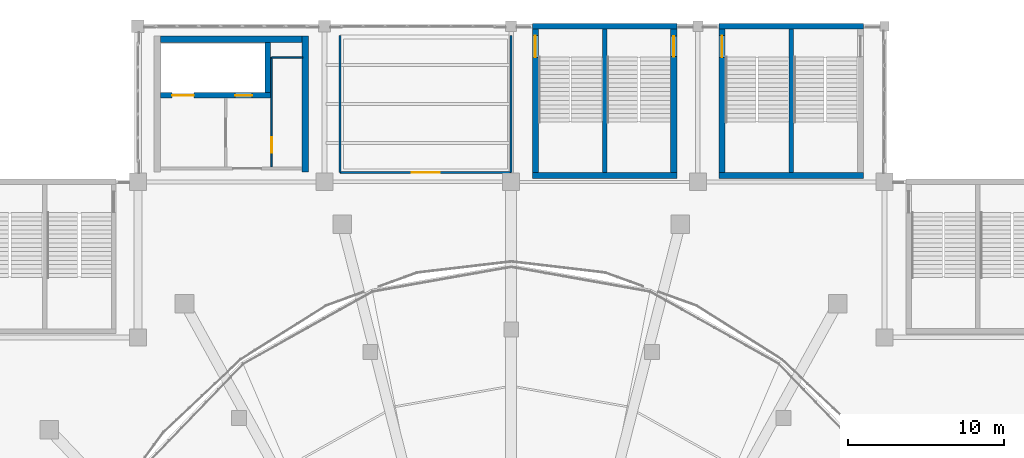
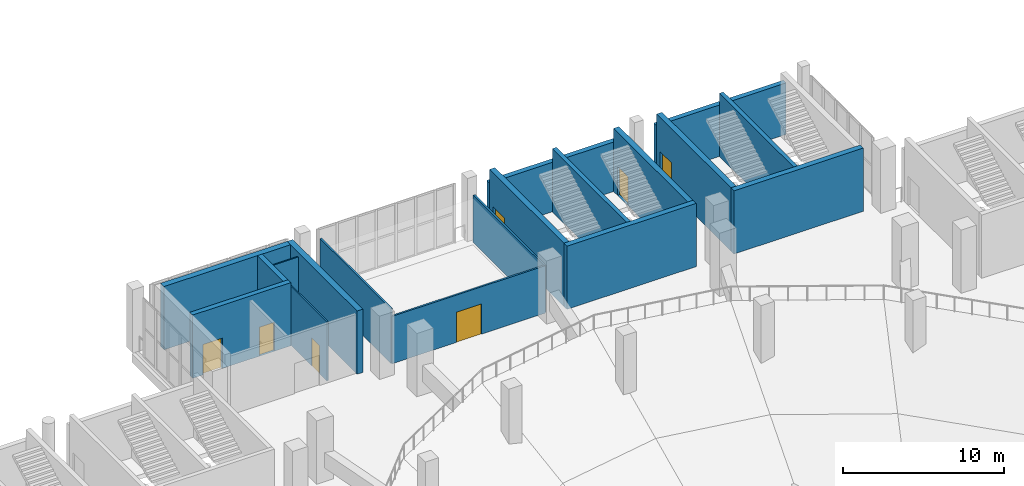
# One storey, part 111 of 136: 18 walls, 7 doors, 7 openings.
"""IFC4 building model written with IfcOpenShell, lengths in metres."""

from ifc_helpers import new_model, si_unit, direction, frame, frame_2d, origin, place, context, subcontext, project, spatial, rectangle, extrude, material, layer, layer_set, type_object, element, fill, save


model = new_model("IFC4")

# Units and contexts
model_context = context("Model", 3, precision=1e-05, world=origin(), true_north=direction((0.0, 1.0)))
body_context = subcontext(model_context, "Body", "Model", "MODEL_VIEW")
ifc_project = project(units=[si_unit("LENGTHUNIT", "METRE"), si_unit("AREAUNIT", "SQUARE_METRE"), si_unit("VOLUMEUNIT", "CUBIC_METRE"), si_unit("PLANEANGLEUNIT", "RADIAN"), si_unit("MASSUNIT", "GRAM", prefix="KILO")], contexts=[model_context])

# Site, building, storey
site_placement = place(None, origin())
site = spatial("IfcSite", under=ifc_project, at=site_placement, CompositionType="ELEMENT")
building_placement = place(site_placement, origin())
building = spatial("IfcBuilding", under=site, at=building_placement, Name="Brinegate Civic Arena", CompositionType="ELEMENT")
storey_placement = place(building_placement, frame((0.0, 0.0, 5.39990234375)))
storey = spatial("IfcBuildingStorey", under=building, at=storey_placement, Name="L01", CompositionType="ELEMENT", Elevation=5.39990234375)

# Wall, openings, doors
ifc_material_1 = material(Name="Concrete C50/60", Category="concrete")
ifc_layer_1 = layer(ifc_material_1, 0.35009765625, Name="Concrete C50/60")
ifc_layer_set_1 = layer_set([ifc_layer_1], Name="Concrete C50/60")
wall_type_1 = type_object("IfcWallType", Name="WALL-CORE-SHEAR-350", PredefinedType="SHEAR", material=ifc_layer_set_1)
wall_1_placement = place(storey_placement, frame((85.4599609375, 119.550048828125, 0.0), z_axis=(0.0, 0.0, 1.0), x_axis=(1.0, 0.0, 0.0)))
wall_1 = element("IfcWall", 1, at=wall_1_placement, inside=storey, type_object=wall_type_1, Name="Core K3 Lift Shaft Front Wall L01 (WBG-57)", PredefinedType="SHEAR", context=body_context, shape_type="SweptSolid", body=[
    extrude(rectangle(XDim=7.06494140625, YDim=0.35009765625, at=frame_2d((3.532470703125, 0.0))), origin(), (0.0, 0.0, 1.0), 4.800048828125),
])
opening_1_placement = place(wall_1_placement, frame((0.739990234375, 0.0, 0.0)))
opening_1 = element("IfcOpeningElement", 2, at=opening_1_placement, cuts=wall_1, Name="Opening LD-FL3-L01", PredefinedType="OPENING", context=body_context, shape_type="SweptSolid", body=[
    extrude(rectangle(XDim=1.39990234375, YDim=2.300048828125, at=frame_2d((0.699951171875, 1.14990234375))), frame((0.0, 0.18505859375, 0.0), z_axis=(0.0, -1.0, 0.0), x_axis=(1.0, 0.0, 0.0)), (0.0, 0.0, 1.0), 0.3701171875),
])
opening_2_placement = place(wall_1_placement, frame((4.7900390625, 0.0, 0.0)))
opening_2 = element("IfcOpeningElement", 3, at=opening_2_placement, cuts=wall_1, Name="Opening LD-PL5-L01", PredefinedType="OPENING", context=body_context, shape_type="SweptSolid", body=[
    extrude(rectangle(XDim=1.10009765625, YDim=2.199951171875, at=frame_2d((0.550048828125, 1.10009765625))), frame((0.0, 0.18505859375, 0.0), z_axis=(0.0, -1.0, 0.0), x_axis=(1.0, 0.0, 0.0)), (0.0, 0.0, 1.0), 0.3701171875),
])
ifc_material_2 = material(Name="Architectural stainless steel balustrade", Category="steel")
door_type_1 = type_object("IfcDoorType", Name="DOOR-LIFT-1100X2200", OperationType="SLIDING_TO_LEFT", PredefinedType="DOOR", material=ifc_material_2)
door_1_placement = place(opening_2_placement, origin())
door_1 = element("IfcDoor", 4, at=door_1_placement, inside=storey, type_object=door_type_1, Name="Sliding Lift Landing Door LD-PL5-L01", OperationType="SLIDING_TO_LEFT", OverallHeight=2.199951171875, OverallWidth=1.10009765625, PredefinedType="DOOR", context=body_context, shape_type="SweptSolid", body=[
    extrude(rectangle(XDim=1.10009765625, YDim=2.199951171875, at=frame_2d((0.550048828125, 1.10009765625))), frame((0.0, 0.02490234375, 0.0), z_axis=(0.0, -1.0, 0.0), x_axis=(1.0, 0.0, 0.0)), (0.0, 0.0, 1.0), 0.050048828125),
])
fill(opening_2, door_1)
door_type_2 = type_object("IfcDoorType", Name="DOOR-LIFT-1400X2300", OperationType="SLIDING_TO_LEFT", PredefinedType="DOOR", material=ifc_material_2)
door_2_placement = place(opening_1_placement, origin())
door_2 = element("IfcDoor", 5, at=door_2_placement, inside=storey, type_object=door_type_2, Name="Sliding Lift Landing Door LD-FL3-L01", OperationType="SLIDING_TO_LEFT", OverallHeight=2.300048828125, OverallWidth=1.39990234375, PredefinedType="DOOR", context=body_context, shape_type="SweptSolid", body=[
    extrude(rectangle(XDim=1.39990234375, YDim=2.300048828125, at=frame_2d((0.699951171875, 1.14990234375))), frame((0.0, 0.02490234375, 0.0), z_axis=(0.0, -1.0, 0.0), x_axis=(1.0, 0.0, 0.0)), (0.0, 0.0, 1.0), 0.050048828125),
])
fill(opening_1, door_2)

# Walls
wall_2_placement = place(storey_placement, frame((92.35009765625, 119.72509765625, 0.0), z_axis=(0.0, 0.0, 1.0), x_axis=(0.0, 1.0, 0.0)))
element("IfcWall", 6, at=wall_2_placement, inside=storey, type_object=wall_type_1, Name="Core K3 Lift Shaft End Wall L01 (WBG-58)", PredefinedType="SHEAR", context=body_context, shape_type="SweptSolid", body=[
    extrude(rectangle(XDim=3.21484375, YDim=0.35009765625, at=frame_2d((1.607421875, 0.0))), origin(), (0.0, 0.0, 1.0), 4.800048828125),
])
ifc_layer_2 = layer(ifc_material_1, 0.389892578125, Name="Concrete C50/60")
ifc_layer_set_2 = layer_set([ifc_layer_2], Name="Concrete C50/60")
wall_type_2 = type_object("IfcWallType", Name="WALL-CORE-SHEAR-390", PredefinedType="SHEAR", material=ifc_layer_set_2)
wall_3_placement = place(storey_placement, frame((121.35498046875, 114.39990234375, 0.0), z_axis=(0.0, 0.0, 1.0), x_axis=(1.0, 0.0, 0.0)))
element("IfcWall", 7, at=wall_3_placement, inside=storey, type_object=wall_type_2, Name="Stair ST-03 South Shear Wall L01 (WBB-67)", PredefinedType="SHEAR", context=body_context, shape_type="SweptSolid", body=[
    extrude(rectangle(XDim=9.2900390625, YDim=0.389892578125, at=frame_2d((4.64501953125, 0.0))), origin(), (0.0, 0.0, 1.0), 4.800048828125),
])

# Wall, opening, door
wall_4_placement = place(storey_placement, frame((121.550048828125, 114.594970703125, 0.0), z_axis=(0.0, 0.0, 1.0), x_axis=(0.0, 1.0, 0.0)))
wall_4 = element("IfcWall", 8, at=wall_4_placement, inside=storey, type_object=wall_type_2, Name="Stair ST-03 West Shear Wall L01 (WBB-69)", PredefinedType="SHEAR", context=body_context, shape_type="SweptSolid", body=[
    extrude(rectangle(XDim=9.22998046875, YDim=0.389892578125, at=frame_2d((4.614990234375, 0.0))), origin(), (0.0, 0.0, 1.0), 4.800048828125),
])
opening_3_placement = place(wall_4_placement, frame((7.405029296875, 0.0, 0.0)))
opening_3 = element("IfcOpeningElement", 9, at=opening_3_placement, cuts=wall_4, Name="Opening D-ST03A-L01", PredefinedType="OPENING", context=body_context, shape_type="SweptSolid", body=[
    extrude(rectangle(XDim=1.39990234375, YDim=2.199951171875, at=frame_2d((0.699951171875, 1.10009765625))), frame((0.0, 0.204833984375, 0.0), z_axis=(0.0, -1.0, 0.0), x_axis=(1.0, 0.0, 0.0)), (0.0, 0.0, 1.0), 0.409912109375),
])
ifc_material_3 = material(Name="Galvanized hurricane steel", Category="steel")
door_type_3 = type_object("IfcDoorType", Name="DOOR-STAIR-2400X2200", OperationType="NOTDEFINED", PredefinedType="DOOR", material=ifc_material_3)
door_3_placement = place(opening_3_placement, frame((1.39990234375, 0.0, 0.0), z_axis=(0.0, 0.0, 1.0), x_axis=(-1.0, 0.0, 0.0)))
door_3 = element("IfcDoor", 10, at=door_3_placement, inside=storey, type_object=door_type_3, Name="Protected Exit Stair Door D-ST03A-L01", OperationType="DOUBLE_DOOR_SINGLE_SWING", OverallHeight=2.199951171875, OverallWidth=1.39990234375, PredefinedType="DOOR", context=body_context, shape_type="SweptSolid", body=[
    extrude(rectangle(XDim=1.39990234375, YDim=2.199951171875, at=frame_2d((0.699951171875, 1.10009765625))), frame((0.0, 0.02490234375, 0.0), z_axis=(0.0, -1.0, 0.0), x_axis=(1.0, 0.0, 0.0)), (0.0, 0.0, 1.0), 0.050048828125),
])
fill(opening_3, door_3)

# Wall
wall_5_placement = place(storey_placement, frame((109.35498046875, 114.39990234375, 0.0), z_axis=(0.0, 0.0, 1.0), x_axis=(1.0, 0.0, 0.0)))
element("IfcWall", 11, at=wall_5_placement, inside=storey, type_object=wall_type_2, Name="Stair ST-15 South Shear Wall L01 (WBE-85)", PredefinedType="SHEAR", context=body_context, shape_type="SweptSolid", body=[
    extrude(rectangle(XDim=9.2900390625, YDim=0.389892578125, at=frame_2d((4.64501953125, 0.0))), origin(), (0.0, 0.0, 1.0), 4.800048828125),
])

# Wall, opening, door
wall_6_placement = place(storey_placement, frame((109.550048828125, 114.594970703125, 0.0), z_axis=(0.0, 0.0, 1.0), x_axis=(0.0, 1.0, 0.0)))
wall_6 = element("IfcWall", 12, at=wall_6_placement, inside=storey, type_object=wall_type_2, Name="Stair ST-15 West Shear Wall L01 (WBE-87)", PredefinedType="SHEAR", context=body_context, shape_type="SweptSolid", body=[
    extrude(rectangle(XDim=9.22998046875, YDim=0.389892578125, at=frame_2d((4.614990234375, 0.0))), origin(), (0.0, 0.0, 1.0), 4.800048828125),
])
opening_4_placement = place(wall_6_placement, frame((7.405029296875, 0.0, 0.0)))
opening_4 = element("IfcOpeningElement", 13, at=opening_4_placement, cuts=wall_6, Name="Opening D-ST15A-L01", PredefinedType="OPENING", context=body_context, shape_type="SweptSolid", body=[
    extrude(rectangle(XDim=1.39990234375, YDim=2.199951171875, at=frame_2d((0.699951171875, 1.10009765625))), frame((0.0, 0.204833984375, 0.0), z_axis=(0.0, -1.0, 0.0), x_axis=(1.0, 0.0, 0.0)), (0.0, 0.0, 1.0), 0.409912109375),
])
door_4_placement = place(opening_4_placement, frame((1.39990234375, 0.0, 0.0), z_axis=(0.0, 0.0, 1.0), x_axis=(-1.0, 0.0, 0.0)))
door_4 = element("IfcDoor", 14, at=door_4_placement, inside=storey, type_object=door_type_3, Name="Protected Exit Stair Door D-ST15A-L01", OperationType="DOUBLE_DOOR_SINGLE_SWING", OverallHeight=2.199951171875, OverallWidth=1.39990234375, PredefinedType="DOOR", context=body_context, shape_type="SweptSolid", body=[
    extrude(rectangle(XDim=1.39990234375, YDim=2.199951171875, at=frame_2d((0.699951171875, 1.10009765625))), frame((0.0, 0.02490234375, 0.0), z_axis=(0.0, -1.0, 0.0), x_axis=(1.0, 0.0, 0.0)), (0.0, 0.0, 1.0), 0.050048828125),
])
fill(opening_4, door_4)

wall_7_placement = place(storey_placement, frame((118.449951171875, 114.594970703125, 0.0), z_axis=(0.0, 0.0, 1.0), x_axis=(0.0, 1.0, 0.0)))
wall_7 = element("IfcWall", 15, at=wall_7_placement, inside=storey, type_object=wall_type_2, Name="Stair ST-15 East Shear Wall L01 (WBE-88)", PredefinedType="SHEAR", context=body_context, shape_type="SweptSolid", body=[
    extrude(rectangle(XDim=9.22998046875, YDim=0.389892578125, at=frame_2d((4.614990234375, 0.0))), origin(), (0.0, 0.0, 1.0), 4.800048828125),
])
opening_5_placement = place(wall_7_placement, frame((7.445068359375, 0.0, 0.0)))
opening_5 = element("IfcOpeningElement", 16, at=opening_5_placement, cuts=wall_7, Name="Opening D-ST15B-L01", PredefinedType="OPENING", context=body_context, shape_type="SweptSolid", body=[
    extrude(rectangle(XDim=1.320068359375, YDim=2.199951171875, at=frame_2d((0.66015625, 1.10009765625))), frame((0.0, 0.204833984375, 0.0), z_axis=(0.0, -1.0, 0.0), x_axis=(1.0, 0.0, 0.0)), (0.0, 0.0, 1.0), 0.409912109375),
])
door_type_4 = type_object("IfcDoorType", Name="DOOR-STAIR-2200X2200", OperationType="NOTDEFINED", PredefinedType="DOOR", material=ifc_material_3)
door_5_placement = place(opening_5_placement, origin())
door_5 = element("IfcDoor", 17, at=door_5_placement, inside=storey, type_object=door_type_4, Name="Protected Exit Stair Door D-ST15B-L01", OperationType="DOUBLE_DOOR_SINGLE_SWING", OverallHeight=2.199951171875, OverallWidth=1.320068359375, PredefinedType="DOOR", context=body_context, shape_type="SweptSolid", body=[
    extrude(rectangle(XDim=1.320068359375, YDim=2.199951171875, at=frame_2d((0.66015625, 1.10009765625))), frame((0.0, 0.02490234375, 0.0), z_axis=(0.0, -1.0, 0.0), x_axis=(1.0, 0.0, 0.0)), (0.0, 0.0, 1.0), 0.050048828125),
])
fill(opening_5, door_5)

# Walls
ifc_layer_3 = layer(ifc_material_1, 0.419921875, Name="Concrete C50/60")
ifc_layer_set_3 = layer_set([ifc_layer_3], Name="Concrete C50/60")
wall_type_3 = type_object("IfcWallType", Name="WALL-CORE-SHEAR-420", PredefinedType="SHEAR", material=ifc_layer_set_3)
wall_8_placement = place(storey_placement, frame((94.75, 114.639892578125, 0.0), z_axis=(0.0, 0.0, 1.0), x_axis=(0.0, 1.0, 0.0)))
element("IfcWall", 18, at=wall_8_placement, inside=storey, type_object=wall_type_3, Name="Core K3 East Shear Wall L01 (WBG-55)", PredefinedType="SHEAR", context=body_context, shape_type="SweptSolid", body=[
    extrude(rectangle(XDim=8.72021484375, YDim=0.419921875, at=frame_2d((4.360107421875, 0.0))), origin(), (0.0, 0.0, 1.0), 4.800048828125),
])
wall_9_placement = place(storey_placement, frame((85.4599609375, 123.14990234375, 0.0), z_axis=(0.0, 0.0, 1.0), x_axis=(1.0, 0.0, 0.0)))
element("IfcWall", 19, at=wall_9_placement, inside=storey, type_object=wall_type_3, Name="Core K3 North Shear Wall L01 (WBG-56)", PredefinedType="SHEAR", context=body_context, shape_type="SweptSolid", body=[
    extrude(rectangle(XDim=9.080078125, YDim=0.419921875, at=frame_2d((4.5400390625, 0.0))), origin(), (0.0, 0.0, 1.0), 4.800048828125),
])
ifc_layer_4 = layer(ifc_material_1, 0.35009765625, Name="Concrete C50/60")
ifc_layer_set_4 = layer_set([ifc_layer_4], Name="Concrete C50/60")
wall_type_4 = type_object("IfcWallType", Name="WALL-EXT-STAIR-SHEAR-350", PredefinedType="SHEAR", material=ifc_layer_set_4)
wall_10_placement = place(storey_placement, frame((121.35498046875, 124.0, 0.0), z_axis=(0.0, 0.0, 1.0), x_axis=(1.0, 0.0, 0.0)))
element("IfcWall", 20, at=wall_10_placement, inside=storey, type_object=wall_type_4, Name="Stair ST-03 North Shear Wall L01 (WBB-68)", PredefinedType="SHEAR", context=body_context, shape_type="SweptSolid", body=[
    extrude(rectangle(XDim=9.2900390625, YDim=0.35009765625, at=frame_2d((4.64501953125, 0.0))), origin(), (0.0, 0.0, 1.0), 3.906005859375),
])
wall_11_placement = place(storey_placement, frame((109.35498046875, 124.0, 0.0), z_axis=(0.0, 0.0, 1.0), x_axis=(1.0, 0.0, 0.0)))
element("IfcWall", 21, at=wall_11_placement, inside=storey, type_object=wall_type_4, Name="Stair ST-15 North Shear Wall L01 (WBE-86)", PredefinedType="SHEAR", context=body_context, shape_type="SweptSolid", body=[
    extrude(rectangle(XDim=9.2900390625, YDim=0.35009765625, at=frame_2d((4.64501953125, 0.0))), origin(), (0.0, 0.0, 1.0), 3.757080078125),
])
ifc_material_4 = material(Name="Fire-rated gypsum partition assembly")
ifc_layer_5 = layer(ifc_material_4, 0.1298828125, Name="Fire-rated gypsum partition assembly")
ifc_layer_set_5 = layer_set([ifc_layer_5], Name="Fire-rated gypsum partition assembly")
wall_type_5 = type_object("IfcWallType", Name="WALL-PART-ACOUSTIC-130", PredefinedType="PARTITIONING", material=ifc_layer_set_5)
wall_12_placement = place(storey_placement, frame((108.0, 123.39990234375, 0.0), z_axis=(0.0, 0.0, 1.0), x_axis=(0.0, -1.0, 0.0)))
element("IfcWall", 22, at=wall_12_placement, inside=storey, type_object=wall_type_5, Name="North-West Food and Beverage Concession Partition Wall E1 (WBI-93)", PredefinedType="PARTITIONING", context=body_context, shape_type="SweptSolid", body=[
    extrude(rectangle(XDim=8.7998046875, YDim=0.1298828125, at=frame_2d((4.39990234375, 0.0))), origin(), (0.0, 0.0, 1.0), 3.59912109375),
])

# Wall, opening, door
wall_13_placement = place(storey_placement, frame((108.0, 114.60009765625, 0.0), z_axis=(0.0, 0.0, 1.0), x_axis=(-1.0, 0.0, 0.0)))
wall_13 = element("IfcWall", 23, at=wall_13_placement, inside=storey, type_object=wall_type_5, Name="North-West Food and Beverage Concession Partition Wall E2 (WBI-94)", PredefinedType="PARTITIONING", context=body_context, shape_type="SweptSolid", body=[
    extrude(rectangle(XDim=11.0, YDim=0.1298828125, at=frame_2d((5.5, 0.0))), origin(), (0.0, 0.0, 1.0), 3.59912109375),
])
opening_6_placement = place(wall_13_placement, frame((4.60009765625, 0.0, 0.0)))
opening_6 = element("IfcOpeningElement", 24, at=opening_6_placement, cuts=wall_13, Name="Opening D-L01-173", PredefinedType="OPENING", context=body_context, shape_type="SweptSolid", body=[
    extrude(rectangle(XDim=1.800048828125, YDim=2.300048828125, at=frame_2d((0.89990234375, 1.14990234375))), frame((0.0, 0.074951171875, 0.0), z_axis=(0.0, -1.0, 0.0), x_axis=(1.0, 0.0, 0.0)), (0.0, 0.0, 1.0), 0.14990234375),
])
ifc_material_5 = material(Name="Marine grade aluminium", Category="aluminium")
door_type_5 = type_object("IfcDoorType", Name="DOOR-CONC-1800X2300", OperationType="NOTDEFINED", PredefinedType="DOOR", material=ifc_material_5)
door_6_placement = place(opening_6_placement, origin())
door_6 = element("IfcDoor", 25, at=door_6_placement, inside=storey, type_object=door_type_5, Name="North-West Food and Beverage Concession Door D-L01-173", OperationType="DOUBLE_DOOR_SINGLE_SWING", OverallHeight=2.300048828125, OverallWidth=1.800048828125, PredefinedType="DOOR", context=body_context, shape_type="SweptSolid", body=[
    extrude(rectangle(XDim=1.800048828125, YDim=2.300048828125, at=frame_2d((0.89990234375, 1.14990234375))), frame((0.0, 0.02490234375, 0.0), z_axis=(0.0, -1.0, 0.0), x_axis=(1.0, 0.0, 0.0)), (0.0, 0.0, 1.0), 0.050048828125),
])
fill(opening_6, door_6)

# Wall
wall_14_placement = place(storey_placement, frame((97.0, 114.60009765625, 0.0), z_axis=(0.0, 0.0, 1.0), x_axis=(0.0, 1.0, 0.0)))
element("IfcWall", 26, at=wall_14_placement, inside=storey, type_object=wall_type_5, Name="North-West Food and Beverage Concession Partition Wall E3 (WBI-95)", PredefinedType="PARTITIONING", context=body_context, shape_type="SweptSolid", body=[
    extrude(rectangle(XDim=8.7998046875, YDim=0.1298828125, at=frame_2d((4.39990234375, 0.0))), origin(), (0.0, 0.0, 1.0), 4.147216796875),
])

# Wall, opening, door
ifc_material_6 = material(Name="Concrete blockwork masonry", Category="masonry")
ifc_layer_6 = layer(ifc_material_6, 0.10009765625, Name="Concrete blockwork masonry")
ifc_layer_set_6 = layer_set([ifc_layer_6], Name="Concrete blockwork masonry")
wall_type_6 = type_object("IfcWallType", Name="WALL-PART-WET-100", PredefinedType="PARTITIONING", material=ifc_layer_set_6)
wall_15_placement = place(storey_placement, frame((92.60009765625, 114.949951171875, 0.0), z_axis=(0.0, 0.0, 1.0), x_axis=(0.0, 1.0, 0.0)))
wall_15 = element("IfcWall", 27, at=wall_15_placement, inside=storey, type_object=wall_type_6, Name="Accessible WC K3 Partition L01 (WBG-61)", PredefinedType="PARTITIONING", context=body_context, shape_type="SweptSolid", body=[
    extrude(rectangle(XDim=7.050048828125, YDim=0.10009765625, at=frame_2d((3.52490234375, 0.0))), origin(), (0.0, 0.0, 1.0), 4.47021484375),
])
opening_7_placement = place(wall_15_placement, frame((0.89990234375, 0.0, 0.0)))
opening_7 = element("IfcOpeningElement", 28, at=opening_7_placement, cuts=wall_15, Name="Opening D-K3W-L01", PredefinedType="OPENING", context=body_context, shape_type="SweptSolid", body=[
    extrude(rectangle(XDim=1.0, YDim=2.10009765625, at=frame_2d((0.5, 1.050048828125))), frame((0.0, 0.06005859375, 0.0), z_axis=(0.0, -1.0, 0.0), x_axis=(1.0, 0.0, 0.0)), (0.0, 0.0, 1.0), 0.1201171875),
])
ifc_material_7 = material(Name="Hardwood acoustic timber door", Category="wood")
door_type_6 = type_object("IfcDoorType", Name="DOOR-AWC-1000X2100", OperationType="NOTDEFINED", PredefinedType="DOOR", material=ifc_material_7)
door_7_placement = place(opening_7_placement, origin())
door_7 = element("IfcDoor", 29, at=door_7_placement, inside=storey, type_object=door_type_6, Name="Accessible WC Door D-K3W-L01", OperationType="SINGLE_SWING_RIGHT", OverallHeight=2.10009765625, OverallWidth=1.0, PredefinedType="DOOR", context=body_context, shape_type="SweptSolid", body=[
    extrude(rectangle(XDim=1.0, YDim=2.10009765625, at=frame_2d((0.5, 1.050048828125))), frame((0.0, 0.02490234375, 0.0), z_axis=(0.0, -1.0, 0.0), x_axis=(1.0, 0.0, 0.0)), (0.0, 0.0, 1.0), 0.050048828125),
])
fill(opening_7, door_7)

# Walls
wall_16_placement = place(storey_placement, frame((92.60009765625, 122.0, 0.0), z_axis=(0.0, 0.0, 1.0), x_axis=(1.0, 0.0, 0.0)))
element("IfcWall", 30, at=wall_16_placement, inside=storey, type_object=wall_type_6, Name="Accessible WC K3 Back Partition L01 (WBG-62)", PredefinedType="PARTITIONING", context=body_context, shape_type="SweptSolid", body=[
    extrude(rectangle(XDim=2.0, YDim=0.10009765625, at=frame_2d((1.0, 0.0))), origin(), (0.0, 0.0, 1.0), 4.47021484375),
])
ifc_layer_7 = layer(ifc_material_1, 0.2900390625, Name="Concrete C50/60")
ifc_layer_set_7 = layer_set([ifc_layer_7], Name="Concrete C50/60")
wall_type_7 = type_object("IfcWallType", Name="WALL-STAIR-SHEAR-290", PredefinedType="SHEAR", material=ifc_layer_set_7)
for number, where, z_axis, x_axis, name in (
    (31, (126.0, 114.594970703125, 0.0), (0.0, 0.0, 1.0), (0.0, 1.0, 0.0), "Stair ST-03 Central Dividing Shear Wall L01 (WBB-71)"),
    (32, (114.0, 114.594970703125, 0.0), (0.0, 0.0, 1.0), (0.0, 1.0, 0.0), "Stair ST-15 Central Dividing Shear Wall L01 (WBE-89)"),
):
    element("IfcWall", number, at=place(storey_placement, frame(where, z_axis=z_axis, x_axis=x_axis)), inside=storey, type_object=wall_type_7, Name=name, PredefinedType="SHEAR", context=body_context, shape_type="SweptSolid", body=[
        extrude(rectangle(XDim=9.22998046875, YDim=0.2900390625, at=frame_2d((4.614990234375, 0.0))), origin(), (0.0, 0.0, 1.0), 4.800048828125),
    ])

save(model, "model.ifc")
